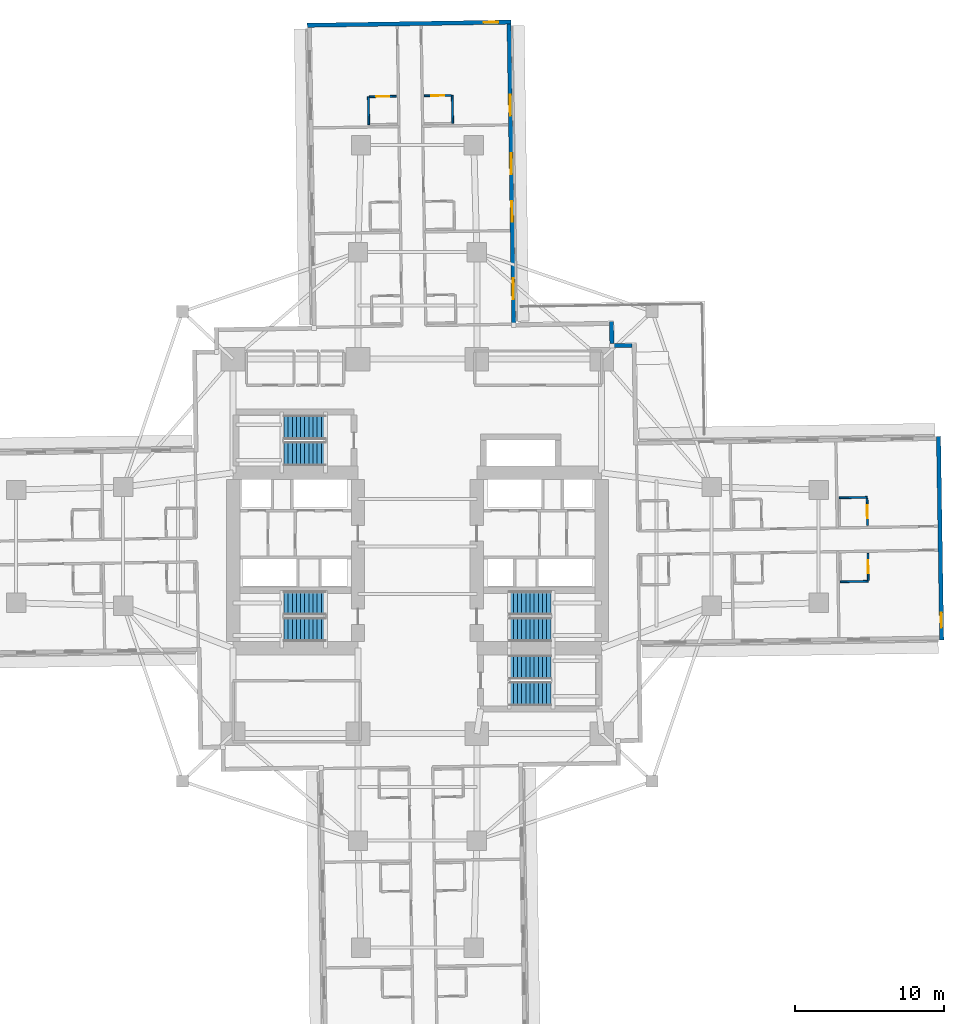
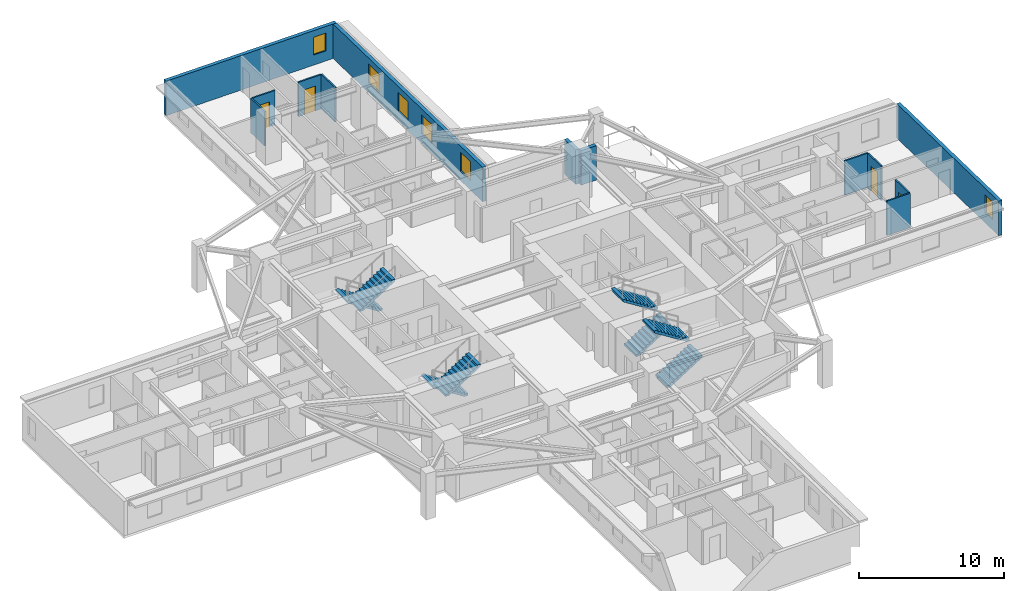
# One storey, part 9 of 14: 13 walls, 8 stair flights, 6 windows, 4 doors, 10 openings, 4 elements without a shape of their own.
"""IFC4 building model written with IfcOpenShell, lengths in metres."""

from ifc_helpers import new_model, si_unit, direction, frame, frame_2d, origin, place, context, subcontext, project, spatial, polyline, rectangle, outline, extrude, material, layer, layer_set, type_object, element, fill, aggregate, save


model = new_model("IFC4")

# Units and contexts
model_context = context("Model", 3, precision=1e-05, world=origin(), true_north=direction((0.0, 1.0)))
body_context = subcontext(model_context, "Body", "Model", "MODEL_VIEW")
ifc_project = project(units=[si_unit("LENGTHUNIT", "METRE"), si_unit("AREAUNIT", "SQUARE_METRE"), si_unit("VOLUMEUNIT", "CUBIC_METRE"), si_unit("PLANEANGLEUNIT", "RADIAN"), si_unit("MASSUNIT", "GRAM", prefix="KILO")], contexts=[model_context])

# Site, building, storey
site_placement = place(None, origin())
site = spatial("IfcSite", under=ifc_project, at=site_placement, CompositionType="ELEMENT")
building_placement = place(site_placement, origin())
building = spatial("IfcBuilding", under=site, at=building_placement, Name="Qingluan Cross Belvedere", CompositionType="ELEMENT")
storey_placement = place(building_placement, frame((0.0, 0.0, 27.60009765625)))
storey = spatial("IfcBuildingStorey", under=building, at=storey_placement, Name="L07", CompositionType="ELEMENT", Elevation=27.60009765625)

# Wall, opening, door
ifc_material_1 = material(Name="Moisture-resistant gypsum board lining")
ifc_layer_1 = layer(ifc_material_1, 0.1201171875, Name="EnsuiteWetPartition_120")
ifc_layer_set_1 = layer_set([ifc_layer_1], Name="Moisture-resistant gypsum board lining")
wall_type_1 = type_object("IfcWallType", Name="EnsuiteWetPartition_120", PredefinedType="PARTITIONING", material=ifc_layer_set_1)
wall_1_placement = place(storey_placement, frame((30.28955078125, 1.416015625, 0.0), z_axis=(0.0, 0.0, 1.0), x_axis=(-0.015696442504, 0.999876803258, 0.0)))
wall_1 = element("IfcWall", 1, at=wall_1_placement, inside=storey, type_object=wall_type_1, Name="Partition L07:E:bs0_2", PredefinedType="PARTITIONING", context=body_context, shape_type="SweptSolid", body=[
    extrude(rectangle(XDim=1.81982421875, YDim=0.1201171875, at=frame_2d((0.909912109375, 0.0))), origin(), (0.0, 0.0, 1.0), 2.89990234375),
])
opening_1_placement = place(wall_1_placement, frame((0.469970703125, 0.0, 0.0)))
opening_1 = element("IfcOpeningElement", 2, at=opening_1_placement, cuts=wall_1, Name="Opening BD-09", PredefinedType="OPENING", context=body_context, shape_type="SweptSolid", body=[
    extrude(rectangle(XDim=0.8798828125, YDim=2.10009765625, at=frame_2d((0.43994140625, 1.050048828125))), frame((0.0, 0.070068359375, 0.0), z_axis=(0.0, -1.0, 0.0), x_axis=(1.0, 0.0, 0.0)), (0.0, 0.0, 1.0), 0.14013671875),
])
ifc_material_2 = material(Name="Moisture-sealed timber en-suite door", Category="wood")
door_type = type_object("IfcDoorType", Name="BathroomDoor_880", OperationType="NOTDEFINED", PredefinedType="DOOR", material=ifc_material_2)
door_1_placement = place(opening_1_placement, origin())
door_1 = element("IfcDoor", 3, at=door_1_placement, inside=storey, type_object=door_type, Name="Bathroom door 0703", OperationType="SINGLE_SWING_RIGHT", OverallHeight=2.10009765625, OverallWidth=0.8798828125, PredefinedType="DOOR", context=body_context, shape_type="SweptSolid", body=[
    extrude(rectangle(XDim=0.8798828125, YDim=2.10009765625, at=frame_2d((0.43994140625, 1.050048828125))), frame((0.0, 0.02490234375, 0.0), z_axis=(0.0, -1.0, 0.0), x_axis=(1.0, 0.0, 0.0)), (0.0, 0.0, 1.0), 0.050048828125),
])
fill(opening_1, door_1)

# Wall
wall_2_placement = place(storey_placement, frame((28.380126953125, 3.271240234375, 0.0), z_axis=(0.0, 0.0, 1.0), x_axis=(0.999876553475, 0.01571234584, 0.0)))
element("IfcWall", 4, at=wall_2_placement, inside=storey, type_object=wall_type_1, Name="Partition L07:E:bn0_2", PredefinedType="PARTITIONING", context=body_context, shape_type="SweptSolid", body=[
    extrude(rectangle(XDim=1.880126953125, YDim=0.1201171875, at=frame_2d((0.93994140625, 0.0))), origin(), (0.0, 0.0, 1.0), 2.89990234375),
])

# Wall, opening, door
wall_3_placement = place(storey_placement, frame((30.34765625, -2.28369140625, 0.0), z_axis=(0.0, 0.0, 1.0), x_axis=(-0.015694337248, 0.999876836305, 0.0)))
wall_3 = element("IfcWall", 5, at=wall_3_placement, inside=storey, type_object=wall_type_1, Name="Partition L07:E:bs1_2", PredefinedType="PARTITIONING", context=body_context, shape_type="SweptSolid", body=[
    extrude(rectangle(XDim=1.820068359375, YDim=0.1201171875, at=frame_2d((0.91015625, 0.0))), origin(), (0.0, 0.0, 1.0), 2.89990234375),
])
opening_2_placement = place(wall_3_placement, frame((0.469970703125, 0.0, 0.0)))
opening_2 = element("IfcOpeningElement", 6, at=opening_2_placement, cuts=wall_3, Name="Opening BD-09", PredefinedType="OPENING", context=body_context, shape_type="SweptSolid", body=[
    extrude(rectangle(XDim=0.8798828125, YDim=2.10009765625, at=frame_2d((0.43994140625, 1.050048828125))), frame((0.0, 0.070068359375, 0.0), z_axis=(0.0, -1.0, 0.0), x_axis=(1.0, 0.0, 0.0)), (0.0, 0.0, 1.0), 0.14013671875),
])
door_2_placement = place(opening_2_placement, origin())
door_2 = element("IfcDoor", 7, at=door_2_placement, inside=storey, type_object=door_type, Name="Bathroom door 0706", OperationType="SINGLE_SWING_RIGHT", OverallHeight=2.10009765625, OverallWidth=0.8798828125, PredefinedType="DOOR", context=body_context, shape_type="SweptSolid", body=[
    extrude(rectangle(XDim=0.8798828125, YDim=2.10009765625, at=frame_2d((0.43994140625, 1.050048828125))), frame((0.0, 0.02490234375, 0.0), z_axis=(0.0, -1.0, 0.0), x_axis=(1.0, 0.0, 0.0)), (0.0, 0.0, 1.0), 0.050048828125),
])
fill(opening_2, door_2)

# Wall
wall_4_placement = place(storey_placement, frame((28.468994140625, -2.378173828125, 0.0), z_axis=(0.0, 0.0, 1.0), x_axis=(0.99987652141, 0.015714386166, 0.0)))
element("IfcWall", 8, at=wall_4_placement, inside=storey, type_object=wall_type_1, Name="Partition L07:E:bc1_2", PredefinedType="PARTITIONING", context=body_context, shape_type="SweptSolid", body=[
    extrude(rectangle(XDim=1.8798828125, YDim=0.1201171875, at=frame_2d((0.93994140625, 0.0))), origin(), (0.0, 0.0, 1.0), 2.89990234375),
])

# Wall, opening, door
wall_5_placement = place(storey_placement, frame((0.4638671875, 30.319091796875, 0.0), z_axis=(0.0, 0.0, 1.0), x_axis=(0.999876836305, 0.015694337248, 0.0)))
wall_5 = element("IfcWall", 9, at=wall_5_placement, inside=storey, type_object=wall_type_1, Name="Partition L07:N:bs0_2", PredefinedType="PARTITIONING", context=body_context, shape_type="SweptSolid", body=[
    extrude(rectangle(XDim=1.820068359375, YDim=0.1201171875, at=frame_2d((0.91015625, 0.0))), origin(), (0.0, 0.0, 1.0), 2.89990234375),
])
opening_3_placement = place(wall_5_placement, frame((0.469970703125, 0.0, 0.0)))
opening_3 = element("IfcOpeningElement", 10, at=opening_3_placement, cuts=wall_5, Name="Opening BD-09", PredefinedType="OPENING", context=body_context, shape_type="SweptSolid", body=[
    extrude(rectangle(XDim=0.8798828125, YDim=2.10009765625, at=frame_2d((0.43994140625, 1.050048828125))), frame((0.0, 0.070068359375, 0.0), z_axis=(0.0, -1.0, 0.0), x_axis=(1.0, 0.0, 0.0)), (0.0, 0.0, 1.0), 0.14013671875),
])
door_3_placement = place(opening_3_placement, origin())
door_3 = element("IfcDoor", 11, at=door_3_placement, inside=storey, type_object=door_type, Name="Bathroom door 0715", OperationType="SINGLE_SWING_RIGHT", OverallHeight=2.10009765625, OverallWidth=0.8798828125, PredefinedType="DOOR", context=body_context, shape_type="SweptSolid", body=[
    extrude(rectangle(XDim=0.8798828125, YDim=2.10009765625, at=frame_2d((0.43994140625, 1.050048828125))), frame((0.0, 0.02490234375, 0.0), z_axis=(0.0, -1.0, 0.0), x_axis=(1.0, 0.0, 0.0)), (0.0, 0.0, 1.0), 0.050048828125),
])
fill(opening_3, door_3)

# Wall
wall_6_placement = place(storey_placement, frame((2.378173828125, 28.468994140625, 0.0), z_axis=(0.0, 0.0, 1.0), x_axis=(-0.015714386166, 0.99987652141, 0.0)))
element("IfcWall", 12, at=wall_6_placement, inside=storey, type_object=wall_type_1, Name="Partition L07:N:bn0_2", PredefinedType="PARTITIONING", context=body_context, shape_type="SweptSolid", body=[
    extrude(rectangle(XDim=1.8798828125, YDim=0.1201171875, at=frame_2d((0.93994140625, 0.0))), origin(), (0.0, 0.0, 1.0), 2.89990234375),
])

# Wall, opening, door
wall_7_placement = place(storey_placement, frame((-3.235595703125, 30.260986328125, 0.0), z_axis=(0.0, 0.0, 1.0), x_axis=(0.999876803258, 0.015696442504, 0.0)))
wall_7 = element("IfcWall", 13, at=wall_7_placement, inside=storey, type_object=wall_type_1, Name="Partition L07:N:bs1_2", PredefinedType="PARTITIONING", context=body_context, shape_type="SweptSolid", body=[
    extrude(rectangle(XDim=1.81982421875, YDim=0.1201171875, at=frame_2d((0.909912109375, 0.0))), origin(), (0.0, 0.0, 1.0), 2.89990234375),
])
opening_4_placement = place(wall_7_placement, frame((0.469970703125, 0.0, 0.0)))
opening_4 = element("IfcOpeningElement", 14, at=opening_4_placement, cuts=wall_7, Name="Opening BD-09", PredefinedType="OPENING", context=body_context, shape_type="SweptSolid", body=[
    extrude(rectangle(XDim=0.8798828125, YDim=2.10009765625, at=frame_2d((0.43994140625, 1.050048828125))), frame((0.0, 0.070068359375, 0.0), z_axis=(0.0, -1.0, 0.0), x_axis=(1.0, 0.0, 0.0)), (0.0, 0.0, 1.0), 0.14013671875),
])
door_4_placement = place(opening_4_placement, origin())
door_4 = element("IfcDoor", 15, at=door_4_placement, inside=storey, type_object=door_type, Name="Bathroom door 0718", OperationType="SINGLE_SWING_RIGHT", OverallHeight=2.10009765625, OverallWidth=0.8798828125, PredefinedType="DOOR", context=body_context, shape_type="SweptSolid", body=[
    extrude(rectangle(XDim=0.8798828125, YDim=2.10009765625, at=frame_2d((0.43994140625, 1.050048828125))), frame((0.0, 0.02490234375, 0.0), z_axis=(0.0, -1.0, 0.0), x_axis=(1.0, 0.0, 0.0)), (0.0, 0.0, 1.0), 0.050048828125),
])
fill(opening_4, door_4)

# Wall
wall_8_placement = place(storey_placement, frame((-3.271240234375, 28.380126953125, 0.0), z_axis=(0.0, 0.0, 1.0), x_axis=(-0.01571234584, 0.999876553475, 0.0)))
element("IfcWall", 16, at=wall_8_placement, inside=storey, type_object=wall_type_1, Name="Partition L07:N:bc1_2", PredefinedType="PARTITIONING", context=body_context, shape_type="SweptSolid", body=[
    extrude(rectangle(XDim=1.880126953125, YDim=0.1201171875, at=frame_2d((0.93994140625, 0.0))), origin(), (0.0, 0.0, 1.0), 2.89990234375),
])

# Wall, opening, window
ifc_material_3 = material(Name="Precast concrete C45", Category="concrete")
ifc_layer_2 = layer(ifc_material_3, 0.280029296875, Name="PrecastFacadeWall_280")
ifc_layer_set_2 = layer_set([ifc_layer_2], Name="Precast concrete C45")
wall_type_2 = type_object("IfcWallType", Name="PrecastFacadeWall_280", PredefinedType="STANDARD", material=ifc_layer_set_2)
wall_9_placement = place(storey_placement, frame((35.283447265625, -6.306640625, 0.0), z_axis=(0.0, 0.0, 1.0), x_axis=(-0.015712599986, 0.999876549481, 0.0)))
wall_9 = element("IfcWall", 17, at=wall_9_placement, inside=storey, type_object=wall_type_2, Name="Arm tip precast facade wall L07-E", PredefinedType="STANDARD", context=body_context, shape_type="SweptSolid", body=[
    extrude(rectangle(XDim=13.719970703125, YDim=0.280029296875, at=frame_2d((6.85986328125, 0.0))), origin(), (0.0, 0.0, 1.0), 2.909912109375),
])
opening_5_placement = place(wall_9_placement, frame((0.85009765625, 0.0, 0.85009765625)))
opening_5 = element("IfcOpeningElement", 18, at=opening_5_placement, cuts=wall_9, Name="Opening W-03", PredefinedType="OPENING", context=body_context, shape_type="SweptSolid", body=[
    extrude(rectangle(XDim=1.0, YDim=1.5, at=frame_2d((0.5, 0.75))), frame((0.0, 0.14990234375, 0.0), z_axis=(0.0, -1.0, 0.0), x_axis=(1.0, 0.0, 0.0)), (0.0, 0.0, 1.0), 0.300048828125),
])
ifc_material_4 = material(Name="Thermally broken triple Low-E glass in aluminium frame", Category="aluminium")
window_type_1 = type_object("IfcWindowType", Name="TriApexWin_1000x1500", PartitioningType="SINGLE_PANEL", PredefinedType="WINDOW", material=ifc_material_4)
window_1_placement = place(opening_5_placement, origin())
window_1 = element("IfcWindow", 19, at=window_1_placement, inside=storey, type_object=window_type_1, Name="Arm tip triangular window L07-E", OverallHeight=1.5, OverallWidth=1.0, PartitioningType="SINGLE_PANEL", PredefinedType="WINDOW", context=body_context, shape_type="SweptSolid", body=[
    extrude(rectangle(XDim=1.0, YDim=1.5, at=frame_2d((0.5, 0.75))), frame((0.0, 0.030029296875, 0.0), z_axis=(0.0, -1.0, 0.0), x_axis=(1.0, 0.0, 0.0)), (0.0, 0.0, 1.0), 0.06005859375),
])
fill(opening_5, window_1)

# Wall, openings, windows
wall_10_placement = place(storey_placement, frame((6.484619140625, 15.043701171875, 0.0), z_axis=(0.0, 0.0, 1.0), x_axis=(-0.01571739401, 0.999876474133, 0.0)))
wall_10 = element("IfcWall", 20, at=wall_10_placement, inside=storey, type_object=wall_type_2, Name="Facade wall L07-NA", PredefinedType="STANDARD", context=body_context, shape_type="SweptSolid", body=[
    extrude(rectangle(XDim=20.099853515625, YDim=0.280029296875, at=frame_2d((10.0498046875, 0.0))), origin(), (0.0, 0.0, 1.0), 2.909912109375),
])
opening_6_placement = place(wall_10_placement, frame((1.60009765625, 0.0, 0.800048828125)))
opening_6 = element("IfcOpeningElement", 21, at=opening_6_placement, cuts=wall_10, Name="Opening W-01", PredefinedType="OPENING", context=body_context, shape_type="SweptSolid", body=[
    extrude(rectangle(XDim=1.39990234375, YDim=1.60009765625, at=frame_2d((0.699951171875, 0.800048828125))), frame((0.0, 0.14990234375, 0.0), z_axis=(0.0, -1.0, 0.0), x_axis=(1.0, 0.0, 0.0)), (0.0, 0.0, 1.0), 0.300048828125),
])
opening_7_placement = place(wall_10_placement, frame((6.800048828125, 0.0, 0.800048828125)))
opening_7 = element("IfcOpeningElement", 22, at=opening_7_placement, cuts=wall_10, Name="Opening W-01", PredefinedType="OPENING", context=body_context, shape_type="SweptSolid", body=[
    extrude(rectangle(XDim=1.39990234375, YDim=1.60009765625, at=frame_2d((0.699951171875, 0.800048828125))), frame((0.0, 0.14990234375, 0.0), z_axis=(0.0, -1.0, 0.0), x_axis=(1.0, 0.0, 0.0)), (0.0, 0.0, 1.0), 0.300048828125),
])
opening_8_placement = place(wall_10_placement, frame((10.0, 0.0, 0.800048828125)))
opening_8 = element("IfcOpeningElement", 23, at=opening_8_placement, cuts=wall_10, Name="Opening W-01", PredefinedType="OPENING", context=body_context, shape_type="SweptSolid", body=[
    extrude(rectangle(XDim=1.39990234375, YDim=1.60009765625, at=frame_2d((0.699951171875, 0.800048828125))), frame((0.0, 0.14990234375, 0.0), z_axis=(0.0, -1.0, 0.0), x_axis=(1.0, 0.0, 0.0)), (0.0, 0.0, 1.0), 0.300048828125),
])
opening_9_placement = place(wall_10_placement, frame((13.949951171875, 0.0, 0.800048828125)))
opening_9 = element("IfcOpeningElement", 24, at=opening_9_placement, cuts=wall_10, Name="Opening W-01", PredefinedType="OPENING", context=body_context, shape_type="SweptSolid", body=[
    extrude(rectangle(XDim=1.39990234375, YDim=1.60009765625, at=frame_2d((0.699951171875, 0.800048828125))), frame((0.0, 0.14990234375, 0.0), z_axis=(0.0, -1.0, 0.0), x_axis=(1.0, 0.0, 0.0)), (0.0, 0.0, 1.0), 0.300048828125),
])
ifc_material_5 = material(Name="Thermally broken triple Low-E glass in aluminium frame", Category="aluminium")
window_type_2 = type_object("IfcWindowType", Name="TriRibbonWin_1400x1600", PartitioningType="SINGLE_PANEL", PredefinedType="WINDOW", material=ifc_material_5)
window_2_placement = place(opening_6_placement, origin())
window_2 = element("IfcWindow", 25, at=window_2_placement, inside=storey, type_object=window_type_2, Name="Ribbon window L07-NA-1", OverallHeight=1.60009765625, OverallWidth=1.39990234375, PartitioningType="SINGLE_PANEL", PredefinedType="WINDOW", context=body_context, shape_type="SweptSolid", body=[
    extrude(rectangle(XDim=1.39990234375, YDim=1.60009765625, at=frame_2d((0.699951171875, 0.800048828125))), frame((0.0, 0.030029296875, 0.0), z_axis=(0.0, -1.0, 0.0), x_axis=(1.0, 0.0, 0.0)), (0.0, 0.0, 1.0), 0.06005859375),
])
fill(opening_6, window_2)
window_3_placement = place(opening_7_placement, origin())
window_3 = element("IfcWindow", 26, at=window_3_placement, inside=storey, type_object=window_type_2, Name="Ribbon window L07-NA-2", OverallHeight=1.60009765625, OverallWidth=1.39990234375, PartitioningType="SINGLE_PANEL", PredefinedType="WINDOW", context=body_context, shape_type="SweptSolid", body=[
    extrude(rectangle(XDim=1.39990234375, YDim=1.60009765625, at=frame_2d((0.699951171875, 0.800048828125))), frame((0.0, 0.030029296875, 0.0), z_axis=(0.0, -1.0, 0.0), x_axis=(1.0, 0.0, 0.0)), (0.0, 0.0, 1.0), 0.06005859375),
])
fill(opening_7, window_3)
window_4_placement = place(opening_8_placement, origin())
window_4 = element("IfcWindow", 27, at=window_4_placement, inside=storey, type_object=window_type_2, Name="Ribbon window L07-NA-3", OverallHeight=1.60009765625, OverallWidth=1.39990234375, PartitioningType="SINGLE_PANEL", PredefinedType="WINDOW", context=body_context, shape_type="SweptSolid", body=[
    extrude(rectangle(XDim=1.39990234375, YDim=1.60009765625, at=frame_2d((0.699951171875, 0.800048828125))), frame((0.0, 0.030029296875, 0.0), z_axis=(0.0, -1.0, 0.0), x_axis=(1.0, 0.0, 0.0)), (0.0, 0.0, 1.0), 0.06005859375),
])
fill(opening_8, window_4)
window_5_placement = place(opening_9_placement, origin())
window_5 = element("IfcWindow", 28, at=window_5_placement, inside=storey, type_object=window_type_2, Name="Ribbon window L07-NA-4", OverallHeight=1.60009765625, OverallWidth=1.39990234375, PartitioningType="SINGLE_PANEL", PredefinedType="WINDOW", context=body_context, shape_type="SweptSolid", body=[
    extrude(rectangle(XDim=1.39990234375, YDim=1.60009765625, at=frame_2d((0.699951171875, 0.800048828125))), frame((0.0, 0.030029296875, 0.0), z_axis=(0.0, -1.0, 0.0), x_axis=(1.0, 0.0, 0.0)), (0.0, 0.0, 1.0), 0.06005859375),
])
fill(opening_9, window_5)

# Wall, opening, window
wall_11_placement = place(storey_placement, frame((6.306640625, 35.283447265625, 0.0), z_axis=(0.0, 0.0, 1.0), x_axis=(-0.999876549481, -0.015712599986, 0.0)))
wall_11 = element("IfcWall", 29, at=wall_11_placement, inside=storey, type_object=wall_type_2, Name="Arm tip precast facade wall L07-N", PredefinedType="STANDARD", context=body_context, shape_type="SweptSolid", body=[
    extrude(rectangle(XDim=13.719970703125, YDim=0.280029296875, at=frame_2d((6.85986328125, 0.0))), origin(), (0.0, 0.0, 1.0), 2.909912109375),
])
opening_10_placement = place(wall_11_placement, frame((0.85009765625, 0.0, 0.85009765625)))
opening_10 = element("IfcOpeningElement", 30, at=opening_10_placement, cuts=wall_11, Name="Opening W-03", PredefinedType="OPENING", context=body_context, shape_type="SweptSolid", body=[
    extrude(rectangle(XDim=1.0, YDim=1.5, at=frame_2d((0.5, 0.75))), frame((0.0, 0.14990234375, 0.0), z_axis=(0.0, -1.0, 0.0), x_axis=(1.0, 0.0, 0.0)), (0.0, 0.0, 1.0), 0.300048828125),
])
window_6_placement = place(opening_10_placement, origin())
window_6 = element("IfcWindow", 31, at=window_6_placement, inside=storey, type_object=window_type_1, Name="Arm tip triangular window L07-N", OverallHeight=1.5, OverallWidth=1.0, PartitioningType="SINGLE_PANEL", PredefinedType="WINDOW", context=body_context, shape_type="SweptSolid", body=[
    extrude(rectangle(XDim=1.0, YDim=1.5, at=frame_2d((0.5, 0.75))), frame((0.0, 0.030029296875, 0.0), z_axis=(0.0, -1.0, 0.0), x_axis=(1.0, 0.0, 0.0)), (0.0, 0.0, 1.0), 0.06005859375),
])
fill(opening_10, window_6)

# Walls
wall_12_placement = place(storey_placement, frame((14.44921875, 13.528564453125, 0.0), z_axis=(0.0, 0.0, 1.0), x_axis=(-0.999878147354, -0.015610587569, 0.0)))
element("IfcWall", 32, at=wall_12_placement, inside=storey, type_object=wall_type_2, Name="Corner wall L07-NE2", PredefinedType="STANDARD", context=body_context, shape_type="SweptSolid", body=[
    extrude(rectangle(XDim=1.219970703125, YDim=0.280029296875, at=frame_2d((0.60986328125, 0.0))), origin(), (0.0, 0.0, 1.0), 2.909912109375),
])
wall_13_placement = place(storey_placement, frame((13.08740234375, 13.647216796875, 0.0), z_axis=(0.0, 0.0, 1.0), x_axis=(-0.015785793208, 0.999875396603, 0.0)))
element("IfcWall", 33, at=wall_13_placement, inside=storey, type_object=wall_type_2, Name="Corner wall L07-NE3", PredefinedType="STANDARD", context=body_context, shape_type="SweptSolid", body=[
    extrude(rectangle(XDim=1.500244140625, YDim=0.280029296875, at=frame_2d((0.75, 0.0))), origin(), (0.0, 0.0, 1.0), 2.909912109375),
])

# Stair, stair flights
ifc_material_6 = material(Name="Concrete C40", Category="concrete")
stair_type = type_object("IfcStairType", Name="CoreDoglegStair_1620", PredefinedType="HALF_TURN_STAIR", material=ifc_material_6)
stair_1_placement = place(storey_placement, origin())
stair_1 = element("IfcStair", 34, at=stair_1_placement, inside=storey, type_object=stair_type, Name="L07 ST1", PredefinedType="HALF_TURN_STAIR")
ifc_material_7 = material(Name="Concrete C40", Category="concrete")
ifc_layer_3 = layer(ifc_material_7, 0.179931640625, Name="StairFlight_RC180")
ifc_layer_set_3 = layer_set([ifc_layer_3], Name="Concrete C40")
stair_flight_type = type_object("IfcStairFlightType", Name="StairFlight_RC180", PredefinedType="STRAIGHT", material=ifc_layer_set_3)
stair_flight_1_placement = place(storey_placement, frame((-6.179931640625, -3.81005859375, 0.0), z_axis=(0.0, 0.0, 1.0), x_axis=(-1.0, 0.0, 0.0)))
stair_flight_1 = element("IfcStairFlight", 35, at=stair_flight_1_placement, type_object=stair_flight_type, Name="ST1 flight 1", NumberOfRisers=11, NumberOfTreads=10, PredefinedType="STRAIGHT", RiserHeight=0.177272727, TreadLength=0.28, context=body_context, shape_type="SweptSolid", body=[
    extrude(outline(polyline([(0.0, 0.0), (0.0, 0.17724609375), (0.280029296875, 0.17724609375), (0.280029296875, 0.3544921875), (0.56005859375, 0.3544921875), (0.56005859375, 0.53173828125), (0.840087890625, 0.53173828125), (0.840087890625, 0.708984375), (1.1201171875, 0.708984375), (1.1201171875, 0.886474609375), (1.39990234375, 0.886474609375), (1.39990234375, 1.063720703125), (1.679931640625, 1.063720703125), (1.679931640625, 1.240966796875), (1.9599609375, 1.240966796875), (1.9599609375, 1.418212890625), (2.239990234375, 1.418212890625), (2.239990234375, 1.595458984375), (2.52001953125, 1.595458984375), (2.52001953125, 1.772705078125), (2.800048828125, 1.772705078125), (2.800048828125, 1.949951171875), (2.800048828125, 1.59521484375), (0.2802734375, 0.0), (0.0, 0.0)])), frame((0.0, 0.81005859375, 0.0), z_axis=(0.0, -1.0, 0.0), x_axis=(1.0, 0.0, 0.0)), (0.0, 0.0, 1.0), 1.6201171875),
])
stair_flight_2_placement = place(storey_placement, frame((-8.97998046875, -5.590087890625, 1.949951171875), z_axis=(0.0, 0.0, 1.0), x_axis=(1.0, 0.0, 0.0)))
stair_flight_2 = element("IfcStairFlight", 36, at=stair_flight_2_placement, type_object=stair_flight_type, Name="ST1 flight 2", NumberOfRisers=11, NumberOfTreads=10, PredefinedType="STRAIGHT", RiserHeight=0.177272727, TreadLength=0.28, context=body_context, shape_type="SweptSolid", body=[
    extrude(outline(polyline([(0.0, 0.0), (0.0, 0.17724609375), (0.280029296875, 0.17724609375), (0.280029296875, 0.3544921875), (0.56005859375, 0.3544921875), (0.56005859375, 0.53173828125), (0.840087890625, 0.53173828125), (0.840087890625, 0.708984375), (1.1201171875, 0.708984375), (1.1201171875, 0.886474609375), (1.39990234375, 0.886474609375), (1.39990234375, 1.063720703125), (1.679931640625, 1.063720703125), (1.679931640625, 1.240966796875), (1.9599609375, 1.240966796875), (1.9599609375, 1.418212890625), (2.239990234375, 1.418212890625), (2.239990234375, 1.595458984375), (2.52001953125, 1.595458984375), (2.52001953125, 1.772705078125), (2.800048828125, 1.772705078125), (2.800048828125, 1.949951171875), (2.800048828125, 1.59521484375), (0.2802734375, 0.0), (0.0, 0.0)])), frame((0.0, 0.81005859375, 0.0), z_axis=(0.0, -1.0, 0.0), x_axis=(1.0, 0.0, 0.0)), (0.0, 0.0, 1.0), 1.6201171875),
])
aggregate(stair_1, [stair_flight_1, stair_flight_2])

stair_2_placement = place(storey_placement, origin())
stair_2 = element("IfcStair", 37, at=stair_2_placement, inside=storey, type_object=stair_type, Name="L07 ST2", PredefinedType="HALF_TURN_STAIR")
stair_flight_3_placement = place(storey_placement, frame((6.179931640625, -5.590087890625, 0.0), z_axis=(0.0, 0.0, 1.0), x_axis=(1.0, 0.0, 0.0)))
stair_flight_3 = element("IfcStairFlight", 38, at=stair_flight_3_placement, type_object=stair_flight_type, Name="ST2 flight 1", NumberOfRisers=11, NumberOfTreads=10, PredefinedType="STRAIGHT", RiserHeight=0.177272727, TreadLength=0.28, context=body_context, shape_type="SweptSolid", body=[
    extrude(outline(polyline([(0.0, 0.0), (0.0, 0.17724609375), (0.280029296875, 0.17724609375), (0.280029296875, 0.3544921875), (0.56005859375, 0.3544921875), (0.56005859375, 0.53173828125), (0.840087890625, 0.53173828125), (0.840087890625, 0.708984375), (1.1201171875, 0.708984375), (1.1201171875, 0.886474609375), (1.39990234375, 0.886474609375), (1.39990234375, 1.063720703125), (1.679931640625, 1.063720703125), (1.679931640625, 1.240966796875), (1.9599609375, 1.240966796875), (1.9599609375, 1.418212890625), (2.239990234375, 1.418212890625), (2.239990234375, 1.595458984375), (2.52001953125, 1.595458984375), (2.52001953125, 1.772705078125), (2.800048828125, 1.772705078125), (2.800048828125, 1.949951171875), (2.800048828125, 1.59521484375), (0.2802734375, 0.0), (0.0, 0.0)])), frame((0.0, 0.81005859375, 0.0), z_axis=(0.0, -1.0, 0.0), x_axis=(1.0, 0.0, 0.0)), (0.0, 0.0, 1.0), 1.6201171875),
])
stair_flight_4_placement = place(storey_placement, frame((8.97998046875, -3.81005859375, 1.949951171875), z_axis=(0.0, 0.0, 1.0), x_axis=(-1.0, 0.0, 0.0)))
stair_flight_4 = element("IfcStairFlight", 39, at=stair_flight_4_placement, type_object=stair_flight_type, Name="ST2 flight 2", NumberOfRisers=11, NumberOfTreads=10, PredefinedType="STRAIGHT", RiserHeight=0.177272727, TreadLength=0.28, context=body_context, shape_type="SweptSolid", body=[
    extrude(outline(polyline([(0.0, 0.0), (0.0, 0.17724609375), (0.280029296875, 0.17724609375), (0.280029296875, 0.3544921875), (0.56005859375, 0.3544921875), (0.56005859375, 0.53173828125), (0.840087890625, 0.53173828125), (0.840087890625, 0.708984375), (1.1201171875, 0.708984375), (1.1201171875, 0.886474609375), (1.39990234375, 0.886474609375), (1.39990234375, 1.063720703125), (1.679931640625, 1.063720703125), (1.679931640625, 1.240966796875), (1.9599609375, 1.240966796875), (1.9599609375, 1.418212890625), (2.239990234375, 1.418212890625), (2.239990234375, 1.595458984375), (2.52001953125, 1.595458984375), (2.52001953125, 1.772705078125), (2.800048828125, 1.772705078125), (2.800048828125, 1.949951171875), (2.800048828125, 1.59521484375), (0.2802734375, 0.0), (0.0, 0.0)])), frame((0.0, 0.81005859375, 0.0), z_axis=(0.0, -1.0, 0.0), x_axis=(1.0, 0.0, 0.0)), (0.0, 0.0, 1.0), 1.6201171875),
])
aggregate(stair_2, [stair_flight_3, stair_flight_4])

stair_3_placement = place(storey_placement, origin())
stair_3 = element("IfcStair", 40, at=stair_3_placement, inside=storey, type_object=stair_type, Name="L07 ST3", PredefinedType="HALF_TURN_STAIR")
stair_flight_5_placement = place(storey_placement, frame((-6.179931640625, 8.010009765625, 0.0), z_axis=(0.0, 0.0, 1.0), x_axis=(-1.0, 0.0, 0.0)))
stair_flight_5 = element("IfcStairFlight", 41, at=stair_flight_5_placement, type_object=stair_flight_type, Name="ST3 flight 1", NumberOfRisers=11, NumberOfTreads=10, PredefinedType="STRAIGHT", RiserHeight=0.177272727, TreadLength=0.28, context=body_context, shape_type="SweptSolid", body=[
    extrude(outline(polyline([(0.0, 0.0), (0.0, 0.17724609375), (0.280029296875, 0.17724609375), (0.280029296875, 0.3544921875), (0.56005859375, 0.3544921875), (0.56005859375, 0.53173828125), (0.840087890625, 0.53173828125), (0.840087890625, 0.708984375), (1.1201171875, 0.708984375), (1.1201171875, 0.886474609375), (1.39990234375, 0.886474609375), (1.39990234375, 1.063720703125), (1.679931640625, 1.063720703125), (1.679931640625, 1.240966796875), (1.9599609375, 1.240966796875), (1.9599609375, 1.418212890625), (2.239990234375, 1.418212890625), (2.239990234375, 1.595458984375), (2.52001953125, 1.595458984375), (2.52001953125, 1.772705078125), (2.800048828125, 1.772705078125), (2.800048828125, 1.949951171875), (2.800048828125, 1.59521484375), (0.2802734375, 0.0), (0.0, 0.0)])), frame((0.0, 0.81005859375, 0.0), z_axis=(0.0, -1.0, 0.0), x_axis=(1.0, 0.0, 0.0)), (0.0, 0.0, 1.0), 1.6201171875),
])
stair_flight_6_placement = place(storey_placement, frame((-8.97998046875, 6.22998046875, 1.949951171875), z_axis=(0.0, 0.0, 1.0), x_axis=(1.0, 0.0, 0.0)))
stair_flight_6 = element("IfcStairFlight", 42, at=stair_flight_6_placement, type_object=stair_flight_type, Name="ST3 flight 2", NumberOfRisers=11, NumberOfTreads=10, PredefinedType="STRAIGHT", RiserHeight=0.177272727, TreadLength=0.28, context=body_context, shape_type="SweptSolid", body=[
    extrude(outline(polyline([(0.0, 0.0), (0.0, 0.17724609375), (0.280029296875, 0.17724609375), (0.280029296875, 0.3544921875), (0.56005859375, 0.3544921875), (0.56005859375, 0.53173828125), (0.840087890625, 0.53173828125), (0.840087890625, 0.708984375), (1.1201171875, 0.708984375), (1.1201171875, 0.886474609375), (1.39990234375, 0.886474609375), (1.39990234375, 1.063720703125), (1.679931640625, 1.063720703125), (1.679931640625, 1.240966796875), (1.9599609375, 1.240966796875), (1.9599609375, 1.418212890625), (2.239990234375, 1.418212890625), (2.239990234375, 1.595458984375), (2.52001953125, 1.595458984375), (2.52001953125, 1.772705078125), (2.800048828125, 1.772705078125), (2.800048828125, 1.949951171875), (2.800048828125, 1.59521484375), (0.2802734375, 0.0), (0.0, 0.0)])), frame((0.0, 0.81005859375, 0.0), z_axis=(0.0, -1.0, 0.0), x_axis=(1.0, 0.0, 0.0)), (0.0, 0.0, 1.0), 1.6201171875),
])
aggregate(stair_3, [stair_flight_5, stair_flight_6])

stair_4_placement = place(storey_placement, origin())
stair_4 = element("IfcStair", 43, at=stair_4_placement, inside=storey, type_object=stair_type, Name="L07 ST4", PredefinedType="HALF_TURN_STAIR")
stair_flight_7_placement = place(storey_placement, frame((6.179931640625, -9.909912109375, 0.0), z_axis=(0.0, 0.0, 1.0), x_axis=(1.0, 0.0, 0.0)))
stair_flight_7 = element("IfcStairFlight", 44, at=stair_flight_7_placement, type_object=stair_flight_type, Name="ST4 flight 1", NumberOfRisers=11, NumberOfTreads=10, PredefinedType="STRAIGHT", RiserHeight=0.177272727, TreadLength=0.28, context=body_context, shape_type="SweptSolid", body=[
    extrude(outline(polyline([(0.0, 0.0), (0.0, 0.17724609375), (0.280029296875, 0.17724609375), (0.280029296875, 0.3544921875), (0.56005859375, 0.3544921875), (0.56005859375, 0.53173828125), (0.840087890625, 0.53173828125), (0.840087890625, 0.708984375), (1.1201171875, 0.708984375), (1.1201171875, 0.886474609375), (1.39990234375, 0.886474609375), (1.39990234375, 1.063720703125), (1.679931640625, 1.063720703125), (1.679931640625, 1.240966796875), (1.9599609375, 1.240966796875), (1.9599609375, 1.418212890625), (2.239990234375, 1.418212890625), (2.239990234375, 1.595458984375), (2.52001953125, 1.595458984375), (2.52001953125, 1.772705078125), (2.800048828125, 1.772705078125), (2.800048828125, 1.949951171875), (2.800048828125, 1.59521484375), (0.2802734375, 0.0), (0.0, 0.0)])), frame((0.0, 0.81005859375, 0.0), z_axis=(0.0, -1.0, 0.0), x_axis=(1.0, 0.0, 0.0)), (0.0, 0.0, 1.0), 1.6201171875),
])
stair_flight_8_placement = place(storey_placement, frame((8.97998046875, -8.1298828125, 1.949951171875), z_axis=(0.0, 0.0, 1.0), x_axis=(-1.0, 0.0, 0.0)))
stair_flight_8 = element("IfcStairFlight", 45, at=stair_flight_8_placement, type_object=stair_flight_type, Name="ST4 flight 2", NumberOfRisers=11, NumberOfTreads=10, PredefinedType="STRAIGHT", RiserHeight=0.177272727, TreadLength=0.28, context=body_context, shape_type="SweptSolid", body=[
    extrude(outline(polyline([(0.0, 0.0), (0.0, 0.17724609375), (0.280029296875, 0.17724609375), (0.280029296875, 0.3544921875), (0.56005859375, 0.3544921875), (0.56005859375, 0.53173828125), (0.840087890625, 0.53173828125), (0.840087890625, 0.708984375), (1.1201171875, 0.708984375), (1.1201171875, 0.886474609375), (1.39990234375, 0.886474609375), (1.39990234375, 1.063720703125), (1.679931640625, 1.063720703125), (1.679931640625, 1.240966796875), (1.9599609375, 1.240966796875), (1.9599609375, 1.418212890625), (2.239990234375, 1.418212890625), (2.239990234375, 1.595458984375), (2.52001953125, 1.595458984375), (2.52001953125, 1.772705078125), (2.800048828125, 1.772705078125), (2.800048828125, 1.949951171875), (2.800048828125, 1.59521484375), (0.2802734375, 0.0), (0.0, 0.0)])), frame((0.0, 0.81005859375, 0.0), z_axis=(0.0, -1.0, 0.0), x_axis=(1.0, 0.0, 0.0)), (0.0, 0.0, 1.0), 1.6201171875),
])
aggregate(stair_4, [stair_flight_7, stair_flight_8])

save(model, "model.ifc")
